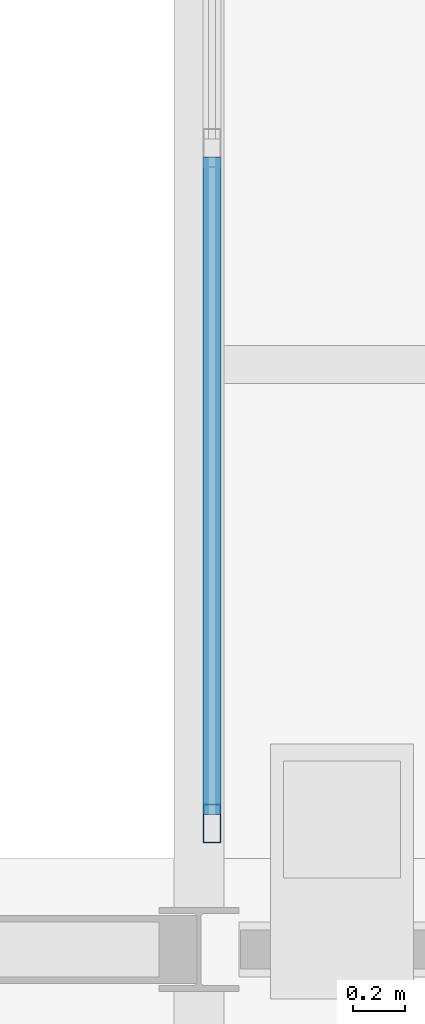
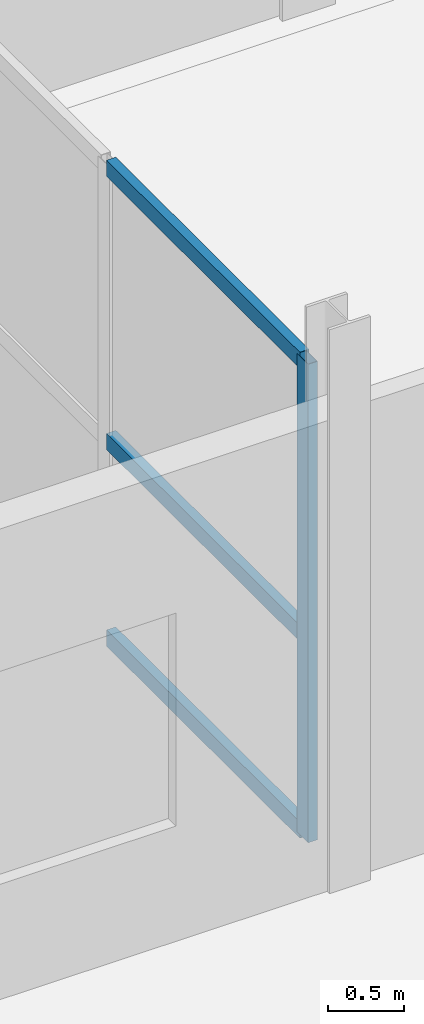
# One storey, part 20 of 77: 4 members, 1 element without a shape of its own.
"""IFC4 building model written with IfcOpenShell, lengths in metres."""

from ifc_helpers import new_model, si_unit, direction, frame, origin, origin_2d, place, context, subcontext, project, spatial, hollow_rectangle, extrude, material, layer, layer_set, material_profile, profile_set, type_object, element, aggregate, save


model = new_model("IFC4")

# Units and contexts
model_context = context("Model", 3, precision=1e-05, world=origin(), true_north=direction((0.0, 1.0)))
body_context = subcontext(model_context, "Body", "Model", "MODEL_VIEW")
ifc_project = project(units=[si_unit("LENGTHUNIT", "METRE"), si_unit("AREAUNIT", "SQUARE_METRE"), si_unit("VOLUMEUNIT", "CUBIC_METRE"), si_unit("PLANEANGLEUNIT", "RADIAN"), si_unit("MASSUNIT", "GRAM", prefix="KILO")], contexts=[model_context])

# Site, building, storey
site_placement = place(None, origin())
site = spatial("IfcSite", under=ifc_project, at=site_placement, CompositionType="ELEMENT")
building_placement = place(site_placement, origin())
building = spatial("IfcBuilding", under=site, at=building_placement, Name="Quillay Park Conservatory", CompositionType="ELEMENT")
storey_placement = place(building_placement, frame((0.0, 0.0, 5.39990234375)))
storey = spatial("IfcBuildingStorey", under=building, at=storey_placement, Name="L01", CompositionType="ELEMENT", Elevation=5.39990234375)

# Curtain wall, members
ifc_material_1 = material(Name="Thermally Broken Anodised Aluminium 6063-T6", Category="aluminium")
ifc_layer = layer(ifc_material_1, 0.155029296875)
ifc_layer_set = layer_set([ifc_layer], Name="UNITISED CURTAIN WALL BRIDGE (Thermally Broken Anodised Aluminium 6063-T6)")
curtain_wall_type = type_object("IfcCurtainWallType", Name="UNITISED CURTAIN WALL BRIDGE", PredefinedType="USERDEFINED", material=ifc_layer_set)
curtain_wall_placement = place(storey_placement, origin())
curtain_wall = element("IfcCurtainWall", 1, at=curtain_wall_placement, inside=storey, type_object=curtain_wall_type, Name="L01 Unitised Curtain Wall 215", ObjectType="UNITISED CURTAIN WALL", PredefinedType="USERDEFINED")
ifc_material_2 = material(Name="Thermally Broken Anodised Aluminium 6063-T6", Category="aluminium")
ifc_material_profile_1 = material_profile(ifc_material_2, hollow_rectangle(XDim=0.070068359375, YDim=0.14990234375, WallThickness=0.00341796875, at=origin_2d()), Name="AL70x150x3.5")
ifc_profile_set_1 = profile_set([ifc_material_profile_1], Name="Thermally Broken Anodised Aluminium 6063-T6")
member_type_1 = type_object("IfcMemberType", Name="CURTAIN WALL MULLION 70 X150", PredefinedType="MULLION", material=ifc_profile_set_1)
member_1_placement = place(storey_placement, frame((15.050048828125, 54.735107421875, 0.0), z_axis=(0.0, 0.0, 1.0), x_axis=(-1.0, 0.0, 0.0)))
member_1 = element("IfcMember", 2, at=member_1_placement, type_object=member_type_1, Name="CW-B1 mullion 1", PredefinedType="MULLION", context=body_context, shape_type="SweptSolid", body=[
    extrude(hollow_rectangle(XDim=0.070068359375, YDim=0.14990234375, WallThickness=0.00341796875, at=origin_2d()), origin(), (0.0, 0.0, 1.0), 3.819091796875),
])
ifc_material_3 = material(Name="Thermally Broken Anodised Aluminium 6063-T6", Category="aluminium")
ifc_material_profile_2 = material_profile(ifc_material_3, hollow_rectangle(XDim=0.070068359375, YDim=0.1298828125, WallThickness=0.003173828125, at=origin_2d()), Name="AL70x130x3.2")
ifc_profile_set_2 = profile_set([ifc_material_profile_2], Name="Thermally Broken Anodised Aluminium 6063-T6")
member_type_2 = type_object("IfcMemberType", Name="CURTAIN WALL TRANSOM 70 X130", PredefinedType="USERDEFINED", material=ifc_profile_set_2)
member_2_placement = place(storey_placement, frame((15.050048828125, 54.77001953125, 0.03515625), z_axis=(0.0, 1.0, 0.0), x_axis=(-1.0, 0.0, 0.0)))
member_2 = element("IfcMember", 3, at=member_2_placement, type_object=member_type_2, Name="CW-B1 transom 1.1", ObjectType="TRANSOM", PredefinedType="USERDEFINED", context=body_context, shape_type="SweptSolid", body=[
    extrude(hollow_rectangle(XDim=0.070068359375, YDim=0.1298828125, WallThickness=0.003173828125, at=origin_2d()), origin(), (0.0, 0.0, 1.0), 2.5283203125),
])
member_3_placement = place(storey_placement, frame((15.050048828125, 54.77001953125, 1.60400390625), z_axis=(0.0, 1.0, 0.0), x_axis=(-1.0, 0.0, 0.0)))
member_3 = element("IfcMember", 4, at=member_3_placement, type_object=member_type_2, Name="CW-B1 transom 1.2", ObjectType="TRANSOM", PredefinedType="USERDEFINED", context=body_context, shape_type="SweptSolid", body=[
    extrude(hollow_rectangle(XDim=0.070068359375, YDim=0.1298828125, WallThickness=0.003173828125, at=origin_2d()), origin(), (0.0, 0.0, 1.0), 2.5283203125),
])
member_4_placement = place(storey_placement, frame((15.050048828125, 54.77001953125, 3.7841796875), z_axis=(0.0, 1.0, 0.0), x_axis=(-1.0, 0.0, 0.0)))
member_4 = element("IfcMember", 5, at=member_4_placement, type_object=member_type_2, Name="CW-B1 transom 1.3", ObjectType="TRANSOM", PredefinedType="USERDEFINED", context=body_context, shape_type="SweptSolid", body=[
    extrude(hollow_rectangle(XDim=0.070068359375, YDim=0.1298828125, WallThickness=0.003173828125, at=origin_2d()), origin(), (0.0, 0.0, 1.0), 2.5283203125),
])
aggregate(curtain_wall, [member_1, member_2, member_3, member_4])

save(model, "model.ifc")
